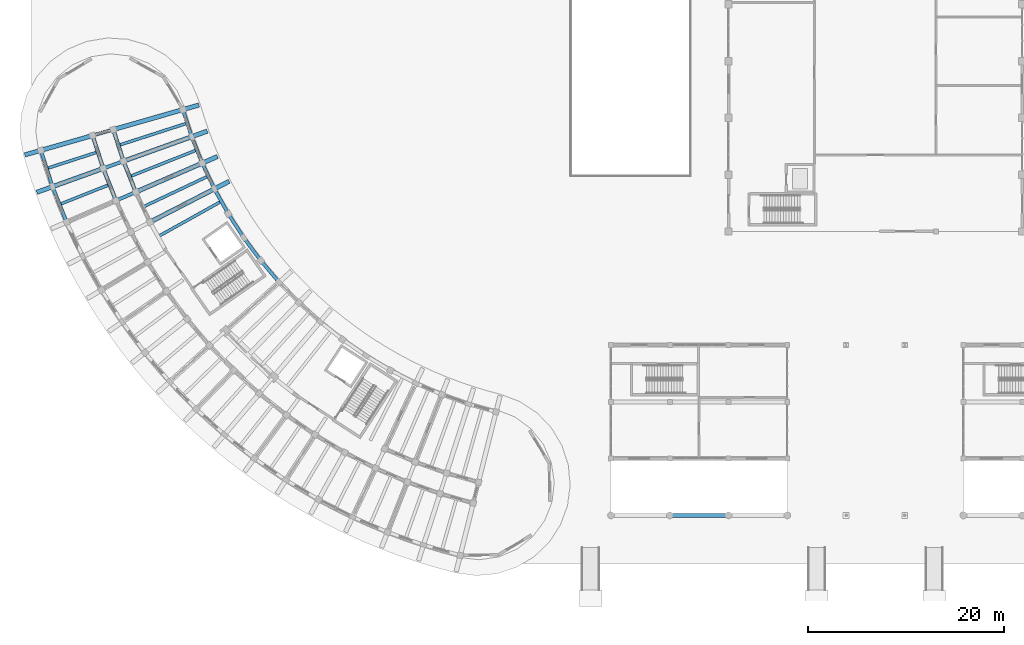
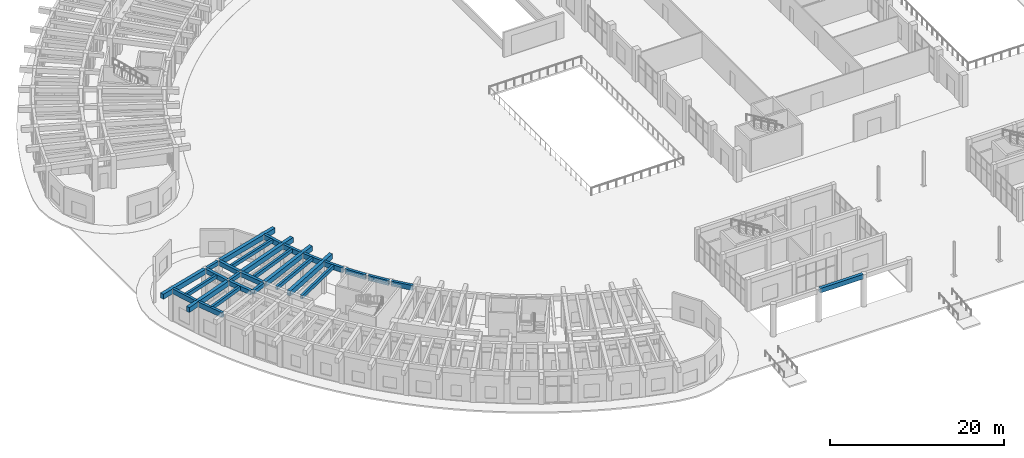
# One storey, part 15 of 132: 29 beams.
"""IFC4 building model written with IfcOpenShell, lengths in metres."""

from ifc_helpers import new_model, si_unit, direction, frame, origin, origin_2d, place, context, subcontext, project, spatial, rectangle, extrude, material, material_profile, profile_set, type_object, element, save


model = new_model("IFC4")

# Units and contexts
model_context = context("Model", 3, precision=1e-05, world=origin(), true_north=direction((0.0, 1.0)))
body_context = subcontext(model_context, "Body", "Model", "MODEL_VIEW")
ifc_project = project(units=[si_unit("LENGTHUNIT", "METRE"), si_unit("AREAUNIT", "SQUARE_METRE"), si_unit("VOLUMEUNIT", "CUBIC_METRE"), si_unit("PLANEANGLEUNIT", "RADIAN"), si_unit("MASSUNIT", "GRAM", prefix="KILO")], contexts=[model_context])

# Site, building, storey
site_placement = place(None, origin())
site = spatial("IfcSite", under=ifc_project, at=site_placement, CompositionType="ELEMENT")
building_placement = place(site_placement, origin())
building = spatial("IfcBuilding", under=site, at=building_placement, Name="Tanwirah Colonnade Gardens", CompositionType="ELEMENT")
storey_placement = place(building_placement, origin())
storey = spatial("IfcBuildingStorey", under=building, at=storey_placement, Name="L00", CompositionType="ELEMENT", Elevation=0.0)

# Beams
ifc_material_1 = material(Name="Precast concrete C40/50", Category="concrete")
ifc_material_profile_1 = material_profile(ifc_material_1, rectangle(XDim=0.35009765625, YDim=0.550048828125, at=origin_2d()), Name="PC-BM 350x550")
ifc_profile_set_1 = profile_set([ifc_material_profile_1], Name="Precast concrete C40/50")
beam_type_1 = type_object("IfcBeamType", Name="BM-PC350A", PredefinedType="BEAM", material=ifc_profile_set_1)
for number, where, z_axis, x_axis, name in (
    (1, (15.014404296875, 50.166748046875, 4.2099609375), (-0.961266538157, -0.275620468433, 0.0), (0.275620468433, -0.961266538157, 0.0), "Block C L00 Corridor Tie Beam 0"),
    (2, (16.058837890625, 46.92822265625, 4.2099609375), (-0.941214575511, -0.337809299525, 0.0), (0.337809299525, -0.941214575511, 0.0), "Block C L00 Corridor Tie Beam 1"),
):
    element("IfcBeam", number, at=place(storey_placement, frame(where, z_axis=z_axis, x_axis=x_axis)), inside=storey, type_object=beam_type_1, Name=name, PredefinedType="BEAM", context=body_context, shape_type="SweptSolid", body=[
        extrude(rectangle(XDim=0.35009765625, YDim=0.550048828125, at=origin_2d()), origin(), (0.0, 0.0, 1.0), 1.89990234375),
    ])
beam_1_placement = place(storey_placement, frame((17.31298828125, 43.76513671875, 4.2099609375), z_axis=(-0.917025109963, -0.398829471952, 0.0), x_axis=(0.398829471952, -0.917025109963, 0.0)))
element("IfcBeam", 3, at=beam_1_placement, inside=storey, type_object=beam_type_1, Name="Block C L00 Corridor Tie Beam 2", PredefinedType="BEAM", context=body_context, shape_type="SweptSolid", body=[
    extrude(rectangle(XDim=0.35009765625, YDim=0.550048828125, at=origin_2d()), origin(), (0.0, 0.0, 1.0), 1.900146484375),
])
ifc_material_profile_2 = material_profile(ifc_material_1, rectangle(XDim=0.3798828125, YDim=0.6201171875, at=origin_2d()), Name="PC-BM 380x620")
ifc_profile_set_2 = profile_set([ifc_material_profile_2], Name="Precast concrete C40/50")
beam_type_2 = type_object("IfcBeamType", Name="BM-PC380", PredefinedType="BEAM", material=ifc_profile_set_2)
beam_2_placement = place(storey_placement, frame((15.20458984375, 50.0654296875, 4.175048828125), z_axis=(0.306977410573, -0.951716801048, 0.0), x_axis=(0.951716801048, 0.306977410573, 0.0)))
element("IfcBeam", 4, at=beam_2_placement, inside=storey, type_object=beam_type_2, Name="Block C L00 Circumferential Beam 0-R1", PredefinedType="BEAM", context=body_context, shape_type="SweptSolid", body=[
    extrude(rectangle(XDim=0.3798828125, YDim=0.6201171875, at=origin_2d()), origin(), (0.0, 0.0, 1.0), 3.093017578125),
])
beam_3_placement = place(storey_placement, frame((13.08984375, 49.458984375, 4.175048828125), z_axis=(0.306980742305, -0.951715726388, 0.0), x_axis=(0.951715726388, 0.306980742305, 0.0)))
element("IfcBeam", 5, at=beam_3_placement, inside=storey, type_object=beam_type_2, Name="Block C L00 Circumferential Beam 0-R2", PredefinedType="BEAM", context=body_context, shape_type="SweptSolid", body=[
    extrude(rectangle(XDim=0.3798828125, YDim=0.6201171875, at=origin_2d()), origin(), (0.0, 0.0, 1.0), 3.23681640625),
])
beam_4_placement = place(storey_placement, frame((16.25537109375, 46.839599609375, 4.175048828125), z_axis=(0.368544574427, -0.929610077753, 0.0), x_axis=(0.929610077753, 0.368544574427, 0.0)))
element("IfcBeam", 6, at=beam_4_placement, inside=storey, type_object=beam_type_2, Name="Block C L00 Circumferential Beam 1-R1", PredefinedType="BEAM", context=body_context, shape_type="SweptSolid", body=[
    extrude(rectangle(XDim=0.3798828125, YDim=0.6201171875, at=origin_2d()), origin(), (0.0, 0.0, 1.0), 3.093017578125),
])
beam_5_placement = place(storey_placement, frame((14.184814453125, 46.09619140625, 4.175048828125), z_axis=(0.368527954052, -0.929616666741, 0.0), x_axis=(0.929616666741, 0.368527954052, 0.0)))
element("IfcBeam", 7, at=beam_5_placement, inside=storey, type_object=beam_type_2, Name="Block C L00 Circumferential Beam 1-R2", PredefinedType="BEAM", context=body_context, shape_type="SweptSolid", body=[
    extrude(rectangle(XDim=0.3798828125, YDim=0.6201171875, at=origin_2d()), origin(), (0.0, 0.0, 1.0), 3.23681640625),
])
ifc_material_2 = material(Name="Precast concrete C45/55", Category="concrete")
ifc_material_profile_3 = material_profile(ifc_material_2, rectangle(XDim=0.39990234375, YDim=0.64990234375, at=origin_2d()), Name="PC-BM 400x650")
ifc_profile_set_3 = profile_set([ifc_material_profile_3], Name="Precast concrete C45/55")
beam_type_3 = type_object("IfcBeamType", Name="BM-PC400", PredefinedType="BEAM", material=ifc_profile_set_3)
beam_6_placement = place(storey_placement, frame((72.14990234375, 10.800048828125, 4.205078125), z_axis=(1.0, 0.0, 0.0), x_axis=(0.0, 1.0, 0.0)))
element("IfcBeam", 8, at=beam_6_placement, inside=storey, type_object=beam_type_3, Name="Boulevard Shops W L00 Beam 1.0", PredefinedType="BEAM", context=body_context, shape_type="SweptSolid", body=[
    extrude(rectangle(XDim=0.39990234375, YDim=0.64990234375, at=origin_2d()), origin(), (0.0, 0.0, 1.0), 5.7001953125),
])
ifc_material_profile_4 = material_profile(ifc_material_2, rectangle(XDim=0.449951171875, YDim=0.699951171875, at=origin_2d()), Name="PC-BM 450x700")
ifc_profile_set_4 = profile_set([ifc_material_profile_4], Name="Precast concrete C45/55")
beam_type_4 = type_object("IfcBeamType", Name="BM-PC450", PredefinedType="BEAM", material=ifc_profile_set_4)
beam_7_placement = place(storey_placement, frame((15.302734375, 50.24951171875, 4.135009765625), z_axis=(0.961258954076, 0.275646917646, 0.0), x_axis=(-0.275646917646, 0.961258954076, 0.0)))
element("IfcBeam", 9, at=beam_7_placement, inside=storey, type_object=beam_type_4, Name="Block C L00 Inner Radial Precast Girder 0", PredefinedType="BEAM", context=body_context, shape_type="SweptSolid", body=[
    extrude(rectangle(XDim=0.449951171875, YDim=0.699951171875, at=origin_2d()), origin(), (0.0, 0.0, 1.0), 8.949951171875),
])
beam_8_placement = place(storey_placement, frame((12.899658203125, 49.560546875, 4.135009765625), z_axis=(-0.961256910003, -0.275654045811, 0.0), x_axis=(0.275654045811, -0.961256910003, 0.0)))
element("IfcBeam", 10, at=beam_8_placement, inside=storey, type_object=beam_type_4, Name="Block C L00 Outer Radial Precast Girder 0", PredefinedType="BEAM", context=body_context, shape_type="SweptSolid", body=[
    extrude(rectangle(XDim=0.449951171875, YDim=0.699951171875, at=origin_2d()), origin(), (0.0, 0.0, 1.0), 7.050048828125),
])
beam_9_placement = place(storey_placement, frame((16.34130859375, 47.02978515625, 4.135009765625), z_axis=(0.941180212187, 0.337905028356, 0.0), x_axis=(-0.337905028356, 0.941180212187, 0.0)))
element("IfcBeam", 11, at=beam_9_placement, inside=storey, type_object=beam_type_4, Name="Block C L00 Inner Radial Precast Girder 1", PredefinedType="BEAM", context=body_context, shape_type="SweptSolid", body=[
    extrude(rectangle(XDim=0.449951171875, YDim=0.699951171875, at=origin_2d()), origin(), (0.0, 0.0, 1.0), 8.94970703125),
])
beam_10_placement = place(storey_placement, frame((13.98828125, 46.184814453125, 4.135009765625), z_axis=(-0.941174903614, -0.337919814168, 0.0), x_axis=(0.337919814168, -0.941174903614, 0.0)))
element("IfcBeam", 12, at=beam_10_placement, inside=storey, type_object=beam_type_4, Name="Block C L00 Outer Radial Precast Girder 1", PredefinedType="BEAM", context=body_context, shape_type="SweptSolid", body=[
    extrude(rectangle(XDim=0.449951171875, YDim=0.699951171875, at=origin_2d()), origin(), (0.0, 0.0, 1.0), 7.050048828125),
])
for number, where, z_axis, x_axis, name in (
    (13, (17.587890625, 43.884765625, 4.135009765625), (0.917069622575, 0.398727108872, 0.0), (-0.398727108872, 0.917069622575, 0.0), "Block C L00 Inner Radial Precast Girder 2"),
    (14, (19.037841796875, 40.827880859375, 4.135009765625), (0.889022337846, 0.457863825619, 0.0), (-0.457863825619, 0.889022337846, 0.0), "Block C L00 Inner Radial Precast Girder 3"),
):
    element("IfcBeam", number, at=place(storey_placement, frame(where, z_axis=z_axis, x_axis=x_axis)), inside=storey, type_object=beam_type_4, Name=name, PredefinedType="BEAM", context=body_context, shape_type="SweptSolid", body=[
        extrude(rectangle(XDim=0.449951171875, YDim=0.699951171875, at=origin_2d()), origin(), (0.0, 0.0, 1.0), 8.949951171875),
    ])
ifc_material_profile_5 = material_profile(ifc_material_1, rectangle(XDim=0.300048828125, YDim=0.5, at=origin_2d()), Name="PC-JST 300x500")
ifc_profile_set_5 = profile_set([ifc_material_profile_5], Name="Precast concrete C40/50")
beam_type_5 = type_object("IfcBeamType", Name="JST-PC300", PredefinedType="JOIST", material=ifc_profile_set_5)
beam_11_placement = place(storey_placement, frame((13.44482421875, 47.873046875, 4.235107421875), z_axis=(-0.95172917624, -0.30693904133, 0.0), x_axis=(0.30693904133, -0.95172917624, 0.0)))
element("IfcBeam", 15, at=beam_11_placement, inside=storey, type_object=beam_type_5, Name="Block C L00 Precast Floor Joist 0", PredefinedType="JOIST", context=body_context, shape_type="SweptSolid", body=[
    extrude(rectangle(XDim=0.300048828125, YDim=0.5, at=origin_2d()), origin(), (0.0, 0.0, 1.0), 5.260009765625),
])
beam_12_placement = place(storey_placement, frame((22.58154296875, 50.819580078125, 4.235107421875), z_axis=(-0.951727255502, -0.30694499692, 0.0), x_axis=(0.30694499692, -0.951727255502, 0.0)))
element("IfcBeam", 16, at=beam_12_placement, inside=storey, type_object=beam_type_5, Name="Block C L00 Inner Precast Floor Joist 0", PredefinedType="JOIST", context=body_context, shape_type="SweptSolid", body=[
    extrude(rectangle(XDim=0.300048828125, YDim=0.5, at=origin_2d()), origin(), (0.0, 0.0, 1.0), 7.16015625),
])
beam_13_placement = place(storey_placement, frame((14.642822265625, 44.53662109375, 4.235107421875), z_axis=(-0.929618207145, -0.368524068338, 0.0), x_axis=(0.368524068338, -0.929618207145, 0.0)))
element("IfcBeam", 17, at=beam_13_placement, inside=storey, type_object=beam_type_5, Name="Block C L00 Precast Floor Joist 1", PredefinedType="JOIST", context=body_context, shape_type="SweptSolid", body=[
    extrude(rectangle(XDim=0.300048828125, YDim=0.5, at=origin_2d()), origin(), (0.0, 0.0, 1.0), 5.260009765625),
])
beam_14_placement = place(storey_placement, frame((23.567138671875, 48.07470703125, 4.235107421875), z_axis=(-0.929619798141, -0.368520054956, 0.0), x_axis=(0.368520054956, -0.929619798141, 0.0)))
element("IfcBeam", 18, at=beam_14_placement, inside=storey, type_object=beam_type_5, Name="Block C L00 Inner Precast Floor Joist 1", PredefinedType="JOIST", context=body_context, shape_type="SweptSolid", body=[
    extrude(rectangle(XDim=0.300048828125, YDim=0.5, at=origin_2d()), origin(), (0.0, 0.0, 1.0), 7.16015625),
])
for number, where, z_axis, x_axis, name in (
    (19, (24.72998046875, 45.39990234375, 4.235107421875), (-0.903522492189, -0.428540670308, 0.0), (0.428540670308, -0.903522492189, 0.0), "Block C L00 Inner Precast Floor Joist 2"),
    (20, (26.0654296875, 42.80712890625, 4.235107421875), (-0.873559899034, -0.486716655561, 0.0), (0.486716655561, -0.873559899034, 0.0), "Block C L00 Inner Precast Floor Joist 3"),
):
    element("IfcBeam", number, at=place(storey_placement, frame(where, z_axis=z_axis, x_axis=x_axis)), inside=storey, type_object=beam_type_5, Name=name, PredefinedType="JOIST", context=body_context, shape_type="SweptSolid", body=[
        extrude(rectangle(XDim=0.300048828125, YDim=0.5, at=origin_2d()), origin(), (0.0, 0.0, 1.0), 7.159912109375),
    ])
ifc_material_profile_6 = material_profile(ifc_material_2, rectangle(XDim=0.340087890625, YDim=0.699951171875, at=origin_2d()), Name="PC-SP 340x700")
ifc_profile_set_6 = profile_set([ifc_material_profile_6], Name="Precast concrete C45/55")
beam_type_6 = type_object("IfcBeamType", Name="SP-PC340", PredefinedType="SPANDREL", material=ifc_profile_set_6)
beam_15_placement = place(storey_placement, frame((22.31787109375, 52.105224609375, 4.135009765625), z_axis=(0.306948094518, -0.951726256479, 0.0), x_axis=(0.951726256479, 0.306948094518, 0.0)))
element("IfcBeam", 21, at=beam_15_placement, inside=storey, type_object=beam_type_6, Name="Block C L00 Circumferential Beam 0-R0", PredefinedType="SPANDREL", context=body_context, shape_type="SweptSolid", body=[
    extrude(rectangle(XDim=0.340087890625, YDim=0.699951171875, at=origin_2d()), origin(), (0.0, 0.0, 1.0), 2.60888671875),
])
beam_16_placement = place(storey_placement, frame((7.802978515625, 47.943115234375, 4.135009765625), z_axis=(0.306927419976, -0.951732924127, 0.0), x_axis=(0.951732924127, 0.306927419976, 0.0)))
element("IfcBeam", 22, at=beam_16_placement, inside=storey, type_object=beam_type_6, Name="Block C L00 Circumferential Beam 0-R3", PredefinedType="SPANDREL", context=body_context, shape_type="SweptSolid", body=[
    extrude(rectangle(XDim=0.340087890625, YDim=0.699951171875, at=origin_2d()), origin(), (0.0, 0.0, 1.0), 3.596923828125),
])
beam_17_placement = place(storey_placement, frame((23.219970703125, 49.340087890625, 4.135009765625), z_axis=(0.368549031306, -0.929608310808, 0.0), x_axis=(0.929608310808, 0.368549031306, 0.0)))
element("IfcBeam", 23, at=beam_17_placement, inside=storey, type_object=beam_type_6, Name="Block C L00 Circumferential Beam 1-R0", PredefinedType="SPANDREL", context=body_context, shape_type="SweptSolid", body=[
    extrude(rectangle(XDim=0.340087890625, YDim=0.699951171875, at=origin_2d()), origin(), (0.0, 0.0, 1.0), 2.608642578125),
])
beam_18_placement = place(storey_placement, frame((9.00830078125, 44.237548828125, 4.135009765625), z_axis=(0.368521552478, -0.929619204491, 0.0), x_axis=(0.929619204491, 0.368521552478, 0.0)))
element("IfcBeam", 24, at=beam_18_placement, inside=storey, type_object=beam_type_6, Name="Block C L00 Circumferential Beam 1-R3", PredefinedType="SPANDREL", context=body_context, shape_type="SweptSolid", body=[
    extrude(rectangle(XDim=0.340087890625, YDim=0.699951171875, at=origin_2d()), origin(), (0.0, 0.0, 1.0), 3.5966796875),
])
beam_19_placement = place(storey_placement, frame((24.301025390625, 46.64013671875, 4.135009765625), z_axis=(0.428512709915, -0.903535753272, 0.0), x_axis=(0.903535753272, 0.428512709915, 0.0)))
element("IfcBeam", 25, at=beam_19_placement, inside=storey, type_object=beam_type_6, Name="Block C L00 Circumferential Beam 2-R0", PredefinedType="SPANDREL", context=body_context, shape_type="SweptSolid", body=[
    extrude(rectangle(XDim=0.340087890625, YDim=0.699951171875, at=origin_2d()), origin(), (0.0, 0.0, 1.0), 2.60888671875),
])
beam_20_placement = place(storey_placement, frame((25.55615234375, 44.016357421875, 4.135009765625), z_axis=(0.486747049114, -0.873542964129, 0.0), x_axis=(0.873542964129, 0.486747049114, 0.0)))
element("IfcBeam", 26, at=beam_20_placement, inside=storey, type_object=beam_type_6, Name="Block C L00 Circumferential Beam 3-R0", PredefinedType="SPANDREL", context=body_context, shape_type="SweptSolid", body=[
    extrude(rectangle(XDim=0.340087890625, YDim=0.699951171875, at=origin_2d()), origin(), (0.0, 0.0, 1.0), 2.608642578125),
])
beam_21_placement = place(storey_placement, frame((26.980224609375, 41.48046875, 4.135009765625), z_axis=(0.542874837406, -0.83981361677, 0.0), x_axis=(0.83981361677, 0.542874837406, 0.0)))
element("IfcBeam", 27, at=beam_21_placement, inside=storey, type_object=beam_type_6, Name="Block C L00 Circumferential Beam 4-R0", PredefinedType="SPANDREL", context=body_context, shape_type="SweptSolid", body=[
    extrude(rectangle(XDim=0.340087890625, YDim=0.699951171875, at=origin_2d()), origin(), (0.0, 0.0, 1.0), 2.60888671875),
])
beam_22_placement = place(storey_placement, frame((28.5673828125, 39.043212890625, 4.135009765625), z_axis=(0.596565220249, -0.802564600508, 0.0), x_axis=(0.802564600508, 0.596565220249, 0.0)))
element("IfcBeam", 28, at=beam_22_placement, inside=storey, type_object=beam_type_6, Name="Block C L00 Circumferential Beam 5-R0", PredefinedType="SPANDREL", context=body_context, shape_type="SweptSolid", body=[
    extrude(rectangle(XDim=0.340087890625, YDim=0.699951171875, at=origin_2d()), origin(), (0.0, 0.0, 1.0), 2.6083984375),
])
beam_23_placement = place(storey_placement, frame((30.310302734375, 36.71484375, 4.135009765625), z_axis=(0.647811402053, -0.761800753065, 0.0), x_axis=(0.761800753065, 0.647811402053, 0.0)))
element("IfcBeam", 29, at=beam_23_placement, inside=storey, type_object=beam_type_6, Name="Block C L00 Circumferential Beam 6-R0", PredefinedType="SPANDREL", context=body_context, shape_type="SweptSolid", body=[
    extrude(rectangle(XDim=0.340087890625, YDim=0.699951171875, at=origin_2d()), origin(), (0.0, 0.0, 1.0), 2.608642578125),
])

save(model, "model.ifc")
